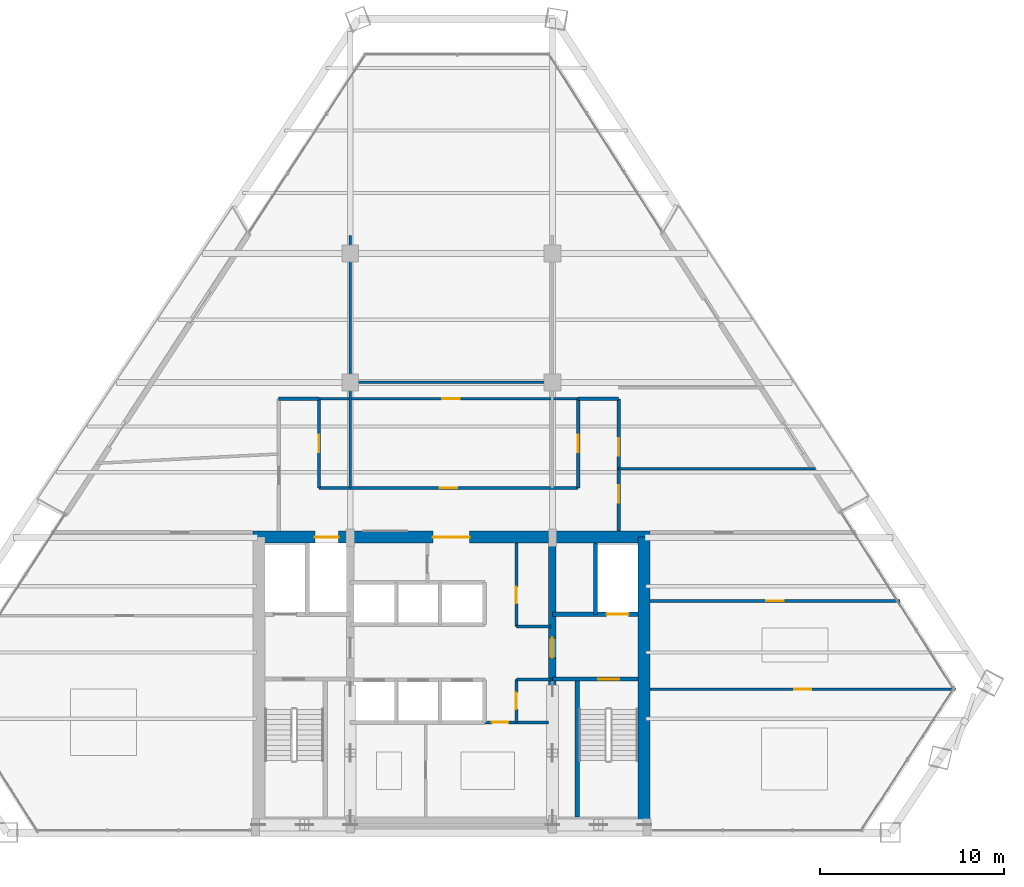
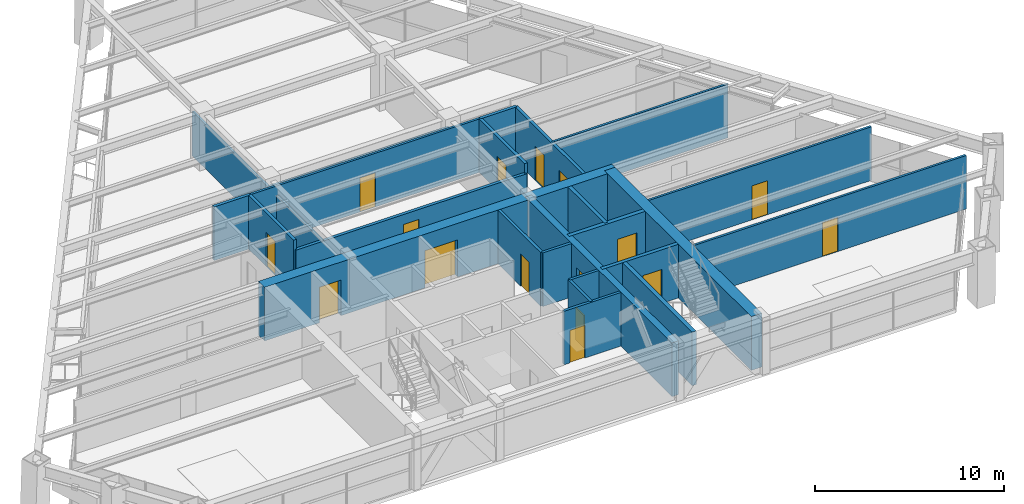
# One storey, part 12 of 15: 24 walls, 16 doors, 16 openings.
"""IFC4 building model written with IfcOpenShell, lengths in metres."""

import ifcopenshell
import ifcopenshell.guid

model = None  # the IFC model being written
_history = None  # IfcOwnerHistory: only IFC2X3 demands one
_inside = {}  # id of a spatial element -> (the spatial element, [elements in it])
_under = {}  # id of a project, library or spatial element -> (it, [spatial elements below it])
_declared = {}  # id of a project -> (the project, [libraries it declares])
_typed = {}  # id of a type object -> (the type object, [elements of that type])
_made_of = {}  # id of a material, layer set ... -> (it, [elements and type objects made of it])


def new_model(schema):
    """Start an empty IFC model of exactly this schema.

    Asked for "IFC4X3", IfcOpenShell would pick the latest addendum, in which some entities
    have other attributes; the version numbers below select the first issue.
    IFC2X3 requires an IfcOwnerHistory on every rooted entity: one is made here for all.
    """
    global model, _history
    if schema == "IFC4X3":
        model = ifcopenshell.file(schema_version=(4, 3, 0, 0))
    else:
        model = ifcopenshell.file(schema=schema)
    _inside.clear()
    _under.clear()
    _declared.clear()
    _typed.clear()
    _made_of.clear()
    _history = None
    if model.schema == "IFC2X3":
        org = make("IfcOrganization", Name="unknown")
        user = make(
            "IfcPersonAndOrganization",
            ThePerson=make("IfcPerson", FamilyName="unknown"),
            TheOrganization=org,
        )
        app = make(
            "IfcApplication",
            ApplicationDeveloper=org,
            Version="unknown",
            ApplicationFullName="unknown",
            ApplicationIdentifier="unknown",
        )
        _history = make(
            "IfcOwnerHistory",
            OwningUser=user,
            OwningApplication=app,
            ChangeAction="ADDED",
            CreationDate=0,
        )
    return model


def make(cls, **values):
    """One entity of the class cls with the attributes given. An attribute that is None is left unset."""
    return model.create_entity(
        cls, **{name: value for name, value in values.items() if value is not None}
    )


def rooted(cls, **values):
    """An entity with a GlobalId (a new one), such as an element, a storey or a relation."""
    return make(cls, GlobalId=ifcopenshell.guid.new(), OwnerHistory=_history, **values)


def si_unit(unit_type, name, prefix=None):
    """IfcSIUnit, for example si_unit("LENGTHUNIT", "METRE", prefix="MILLI")."""
    return make("IfcSIUnit", UnitType=unit_type, Prefix=prefix, Name=name)


def assignment(units):
    """IfcUnitAssignment: the units of a project."""
    return None if units is None else make("IfcUnitAssignment", Units=units)


def point(xyz):
    """IfcCartesianPoint."""
    return None if xyz is None else make("IfcCartesianPoint", Coordinates=xyz)


def direction(xyz):
    """IfcDirection."""
    return None if xyz is None else make("IfcDirection", DirectionRatios=xyz)


def frame(location, z_axis=None, x_axis=None):
    """IfcAxis2Placement3D, a coordinate frame: its origin and axes. An axis left out is left unset."""
    return make(
        "IfcAxis2Placement3D",
        Location=point(location),
        Axis=direction(z_axis),
        RefDirection=direction(x_axis),
    )


def frame_2d(location, x_axis=None):
    """IfcAxis2Placement2D, a coordinate frame in the plane: its origin and x axis."""
    return make(
        "IfcAxis2Placement2D", Location=point(location), RefDirection=direction(x_axis)
    )


def origin():
    """The frame at (0, 0, 0) with its axes left unset."""
    return frame((0.0, 0.0, 0.0))


def place(relative_to, where):
    """IfcLocalPlacement: puts the frame where relative to a parent placement (None: the world)."""
    return make(
        "IfcLocalPlacement", PlacementRelTo=relative_to, RelativePlacement=where
    )


def context(
    kind, dimensions, precision=None, world=None, true_north=None, identifier=None
):
    """IfcGeometricRepresentationContext, for example the 3D "Model" context."""
    return make(
        "IfcGeometricRepresentationContext",
        ContextIdentifier=identifier,
        ContextType=kind,
        CoordinateSpaceDimension=dimensions,
        Precision=precision,
        WorldCoordinateSystem=world,
        TrueNorth=true_north,
    )


def subcontext(parent, identifier, kind, view, scale=None):
    """IfcGeometricRepresentationSubContext, for example "Body" below "Model"."""
    return make(
        "IfcGeometricRepresentationSubContext",
        ContextIdentifier=identifier,
        ContextType=kind,
        ParentContext=parent,
        TargetScale=scale,
        TargetView=view,
    )


def project(units=None, contexts=None):
    """IfcProject with its units and contexts."""
    return rooted(
        "IfcProject",
        Name="project",
        RepresentationContexts=contexts,
        UnitsInContext=assignment(units),
    )


def spatial(cls, under=None, at=None, **own):
    """A site, building, storey or space (cls), placed at a placement, below another one or the project."""
    s = rooted(cls, ObjectPlacement=at, **own)
    if under is not None:
        _under.setdefault(under.id(), (under, []))[1].append(s)
    return s


def profile(cls, at=None, kind="AREA", **sizes):
    """A parametric profile (cls). Its sizes go by their IFC names, for example OverallWidth=200.0."""
    return make(cls, ProfileType=kind, Position=at, **sizes)


def rectangle(**sizes):
    """IfcRectangleProfileDef."""
    return profile("IfcRectangleProfileDef", **sizes)


def extrude(swept, where, along, depth):
    """IfcExtrudedAreaSolid: the profile swept, set in the frame where, extruded along a direction by depth."""
    return make(
        "IfcExtrudedAreaSolid",
        SweptArea=swept,
        Position=where,
        ExtrudedDirection=direction(along),
        Depth=depth,
    )


def shape(context_of_items, identifier, shape_type, items):
    """IfcShapeRepresentation: the items that make up one representation, for example the "Body"."""
    return make(
        "IfcShapeRepresentation",
        ContextOfItems=context_of_items,
        RepresentationIdentifier=identifier,
        RepresentationType=shape_type,
        Items=items,
    )


def source(mapping_origin, context_of_items, identifier, shape_type, items):
    """IfcRepresentationMap: a shape defined once, which mapped items show again and again."""
    return make(
        "IfcRepresentationMap",
        MappingOrigin=mapping_origin,
        MappedRepresentation=shape(context_of_items, identifier, shape_type, items),
    )


def transform(
    local_origin,
    x_axis=None,
    y_axis=None,
    z_axis=None,
    scale=None,
    scale2=None,
    scale3=None,
    uniform=True,
):
    """IfcCartesianTransformationOperator3D, or its non-uniform kind. x_axis, y_axis, z_axis: its Axis1, 2, 3."""
    if uniform:
        return make(
            "IfcCartesianTransformationOperator3D",
            Axis1=direction(x_axis),
            Axis2=direction(y_axis),
            LocalOrigin=point(local_origin),
            Scale=scale,
            Axis3=direction(z_axis),
        )
    return make(
        "IfcCartesianTransformationOperator3DnonUniform",
        Axis1=direction(x_axis),
        Axis2=direction(y_axis),
        LocalOrigin=point(local_origin),
        Scale=scale,
        Axis3=direction(z_axis),
        Scale2=scale2,
        Scale3=scale3,
    )


def mapped(mapping_source, mapping_target):
    """IfcMappedItem: shows the shape of a source again, moved by a transform."""
    return make(
        "IfcMappedItem", MappingSource=mapping_source, MappingTarget=mapping_target
    )


def material(Name=None, Category=None):
    """IfcMaterial."""
    return make("IfcMaterial", Name=Name, Category=Category)


def layer(
    of_material, thickness, ventilated=None, Name=None, Category=None, Priority=None
):
    """IfcMaterialLayer: one layer of a wall or slab, of a material (None: an air gap)."""
    return make(
        "IfcMaterialLayer",
        Material=of_material,
        LayerThickness=thickness,
        IsVentilated=ventilated,
        Name=Name,
        Category=Category,
        Priority=Priority,
    )


def layer_set(layers, Name=None):
    """IfcMaterialLayerSet."""
    return make("IfcMaterialLayerSet", MaterialLayers=layers, LayerSetName=Name)


def made_of(thing, what):
    """Note that an element or type object is made of a material, layer set ...; save() writes the relation."""
    if what is not None:
        _made_of.setdefault(what.id(), (what, []))[1].append(thing)
    return thing


def type_object(cls, material=None, **own):
    """A type object (cls), such as IfcWallType, which elements share."""
    return made_of(rooted(cls, **own), material)


def type_shapes(of_type, sources):
    """Give a type object the sources (RepresentationMaps) that its elements show as mapped items."""
    of_type.RepresentationMaps = sources


def element(
    cls,
    number,
    at=None,
    inside=None,
    cuts=None,
    type_object=None,
    material=None,
    context=None,
    identifier="Body",
    shape_type=None,
    held_by="IfcProductDefinitionShape",
    body=None,
    shapes=None,
    **own,
):
    """One element of the class cls, such as IfcWall. Its Tag is "e" and its number.

    at: its placement. inside: the storey or other place that contains it. cuts: it is an
    opening in that element (IfcRelVoidsElement). A single representation is given by context,
    identifier, shape_type and body (its items); several are given by shapes. held_by: the class
    of the entity that holds the representations. save() writes the other relations.
    """
    e = rooted(cls, Tag="e%d" % number, ObjectPlacement=at, **own)
    if body is not None:
        shapes = [shape(context, identifier, shape_type, body)]
    if shapes is not None:
        e.Representation = make(held_by, Representations=shapes)
    if inside is not None:
        _inside.setdefault(inside.id(), (inside, []))[1].append(e)
    if cuts is not None:
        rooted(
            "IfcRelVoidsElement", RelatingBuildingElement=cuts, RelatedOpeningElement=e
        )
    if type_object is not None:
        _typed.setdefault(type_object.id(), (type_object, []))[1].append(e)
    return made_of(e, material)


def fill(opening, filler):
    """IfcRelFillsElement: the door or window that sits in an opening."""
    return rooted(
        "IfcRelFillsElement",
        RelatingOpeningElement=opening,
        RelatedBuildingElement=filler,
    )


def aggregate(whole, parts):
    """IfcRelAggregates: a whole, such as a stair, and the parts it consists of."""
    return rooted("IfcRelAggregates", RelatingObject=whole, RelatedObjects=parts)


def save(model, path):
    """Write the relations noted so far, then the file.

    IfcRelAggregates (storeys below a building ...), IfcRelContainedInSpatialStructure (elements
    in a storey), IfcRelDefinesByType, IfcRelAssociatesMaterial and IfcRelDeclares: one each for
    every whole, place, type object, material and project.
    """
    for whole, parts in _under.values():
        aggregate(whole, parts)
    for where, things in _inside.values():
        rooted(
            "IfcRelContainedInSpatialStructure",
            RelatedElements=things,
            RelatingStructure=where,
        )
    for kind, things in _typed.values():
        rooted("IfcRelDefinesByType", RelatedObjects=things, RelatingType=kind)
    for what, things in _made_of.values():
        rooted("IfcRelAssociatesMaterial", RelatedObjects=things, RelatingMaterial=what)
    for by, libraries in _declared.values():
        rooted("IfcRelDeclares", RelatingContext=by, RelatedDefinitions=libraries)
    model.write(path)


model = new_model("IFC4")

# Units and contexts
model_context = context("Model", 3, precision=1e-05, world=origin(), true_north=direction((0.0, 1.0)))
body_context = subcontext(model_context, "Body", "Model", "MODEL_VIEW")
ifc_project = project(units=[si_unit("LENGTHUNIT", "METRE"), si_unit("AREAUNIT", "SQUARE_METRE"), si_unit("VOLUMEUNIT", "CUBIC_METRE"), si_unit("PLANEANGLEUNIT", "RADIAN"), si_unit("MASSUNIT", "GRAM", prefix="KILO")], contexts=[model_context])

# Site, building, storey
site_placement = place(None, origin())
site = spatial("IfcSite", under=ifc_project, at=site_placement, CompositionType="ELEMENT")
building_placement = place(site_placement, origin())
building = spatial("IfcBuilding", under=site, at=building_placement, Name="Varnakhor Terracotta Tower", CompositionType="ELEMENT")
storey_placement = place(building_placement, frame((0.0, 0.0, 136.699951171875)))
storey = spatial("IfcBuildingStorey", under=building, at=storey_placement, Name="L34", CompositionType="ELEMENT", Elevation=136.699951171875)

# Wall, openings, doors
ifc_material_1 = material(Name="Concrete C50/60", Category="concrete")
ifc_layer_1 = layer(ifc_material_1, 0.64990234375, Name="Concrete C50/60")
ifc_layer_set_1 = layer_set([ifc_layer_1], Name="Concrete C50/60")
wall_type_1 = type_object("IfcWallType", Name="WAL-CORE-650", PredefinedType="SHEAR", material=ifc_layer_set_1)
wall_1_placement = place(storey_placement, frame((-10.800048828125, 16.074951171875, 0.0), z_axis=(0.0, 0.0, 1.0), x_axis=(1.0, 0.0, 0.0)))
wall_1 = element("IfcWall", 1, at=wall_1_placement, inside=storey, type_object=wall_type_1, Name="L34 North Core Shear Wall", PredefinedType="SHEAR", context=body_context, shape_type="SweptSolid", body=[
    extrude(rectangle(XDim=21.60009765625, YDim=0.64990234375, at=frame_2d((10.800048828125, 0.0))), origin(), (0.0, 0.0, 1.0), 3.469970703125),
])
opening_1_placement = place(wall_1_placement, frame((3.3701171875, 0.0, 0.0)))
opening_1 = element("IfcOpeningElement", 2, at=opening_1_placement, cuts=wall_1, Name="Opening LD-03", PredefinedType="OPENING", context=body_context, shape_type="SweptSolid", body=[
    extrude(rectangle(XDim=1.300048828125, YDim=2.300048828125, at=frame_2d((0.64990234375, 1.14990234375))), frame((0.0, 0.3349609375, 0.0), z_axis=(0.0, -1.0, 0.0), x_axis=(1.0, 0.0, 0.0)), (0.0, 0.0, 1.0), 0.669921875),
])
opening_2_placement = place(wall_1_placement, frame((9.800048828125, 0.0, 0.0)))
opening_2 = element("IfcOpeningElement", 3, at=opening_2_placement, cuts=wall_1, Name="Opening DR-32", PredefinedType="OPENING", context=body_context, shape_type="SweptSolid", body=[
    extrude(rectangle(XDim=2.0, YDim=2.39990234375, at=frame_2d((1.0, 1.199951171875))), frame((0.0, 0.3349609375, 0.0), z_axis=(0.0, -1.0, 0.0), x_axis=(1.0, 0.0, 0.0)), (0.0, 0.0, 1.0), 0.669921875),
])
ifc_material_2 = material(Name="Heavy-Duty Goods Sliding Lift Landing Door", Category="steel")
door_type_1 = type_object("IfcDoorType", Name="LD-SRV-1300X2300", OperationType="NOTDEFINED", PredefinedType="DOOR", material=ifc_material_2)
shared_shape_1 = source(origin(), body_context, "Body", "SweptSolid", [
    extrude(rectangle(XDim=1.300048828125, YDim=2.300048828125, at=frame_2d((0.64990234375, 1.14990234375))), frame((0.0, 0.02490234375, 0.0), z_axis=(0.0, -1.0, 0.0), x_axis=(1.0, 0.0, 0.0)), (0.0, 0.0, 1.0), 0.050048828125),
])
type_shapes(door_type_1, [shared_shape_1])
door_1_placement = place(opening_1_placement, origin())
door_1 = element("IfcDoor", 4, at=door_1_placement, inside=storey, type_object=door_type_1, Name="L34 Service Lift SVL-1 Landing Door", OperationType="SLIDING_TO_RIGHT", OverallHeight=2.300048828125, OverallWidth=1.300048828125, PredefinedType="DOOR", context=body_context, shape_type="MappedRepresentation", body=[
    mapped(shared_shape_1, transform((0.0, 0.0, 0.0), scale=1.0)),
])
fill(opening_1, door_1)
ifc_material_3 = material(Name="Acoustic Double Assembly Fire Door", Category="wood")
door_type_2 = type_object("IfcDoorType", Name="DR-HALL-2000X2400", OperationType="NOTDEFINED", PredefinedType="DOOR", material=ifc_material_3)
shared_shape_2 = source(origin(), body_context, "Body", "SweptSolid", [
    extrude(rectangle(XDim=2.0, YDim=2.39990234375, at=frame_2d((1.0, 1.199951171875))), frame((0.0, 0.02490234375, 0.0), z_axis=(0.0, -1.0, 0.0), x_axis=(1.0, 0.0, 0.0)), (0.0, 0.0, 1.0), 0.050048828125),
])
type_shapes(door_type_2, [shared_shape_2])
door_2_placement = place(opening_2_placement, origin())
door_2 = element("IfcDoor", 5, at=door_2_placement, inside=storey, type_object=door_type_2, Name="L34 Core Main Lobby Double Door", OperationType="DOUBLE_DOOR_SINGLE_SWING", OverallHeight=2.39990234375, OverallWidth=2.0, PredefinedType="DOOR", context=body_context, shape_type="MappedRepresentation", body=[
    mapped(shared_shape_2, transform((0.0, 0.0, 0.0), scale=1.0)),
])
fill(opening_2, door_2)

# Wall
wall_2_placement = place(storey_placement, frame((10.47509765625, 0.52490234375, 0.0), z_axis=(0.0, 0.0, 1.0), x_axis=(0.0, 1.0, 0.0)))
element("IfcWall", 6, at=wall_2_placement, inside=storey, type_object=wall_type_1, Name="L34 East Core Shear Wall", PredefinedType="SHEAR", context=body_context, shape_type="SweptSolid", body=[
    extrude(rectangle(XDim=15.550048828125, YDim=0.64990234375, at=frame_2d((7.77490234375, 0.0))), origin(), (0.0, 0.0, 1.0), 3.469970703125),
])

# Wall, opening, door
ifc_layer_2 = layer(ifc_material_1, 0.39990234375, Name="Concrete C50/60")
ifc_layer_set_2 = layer_set([ifc_layer_2], Name="Concrete C50/60")
wall_type_2 = type_object("IfcWallType", Name="WAL-CORE-WEB-400", PredefinedType="SHEAR", material=ifc_layer_set_2)
wall_3_placement = place(storey_placement, frame((5.5, 0.52490234375, 0.0), z_axis=(0.0, 0.0, 1.0), x_axis=(0.0, 1.0, 0.0)))
wall_3 = element("IfcWall", 7, at=wall_3_placement, inside=storey, type_object=wall_type_2, Name="L34 East Core Web Shear Wall", PredefinedType="SHEAR", context=body_context, shape_type="SweptSolid", body=[
    extrude(rectangle(XDim=15.550048828125, YDim=0.39990234375, at=frame_2d((7.77490234375, 0.0))), origin(), (0.0, 0.0, 1.0), 3.469970703125),
])
opening_3_placement = place(wall_3_placement, frame((8.97509765625, 0.0, 0.0)))
opening_3 = element("IfcOpeningElement", 8, at=opening_3_placement, cuts=wall_3, Name="Opening DR-25", PredefinedType="OPENING", context=body_context, shape_type="SweptSolid", body=[
    extrude(rectangle(XDim=1.10009765625, YDim=2.199951171875, at=frame_2d((0.550048828125, 1.10009765625))), frame((0.0, 0.2099609375, 0.0), z_axis=(0.0, -1.0, 0.0), x_axis=(1.0, 0.0, 0.0)), (0.0, 0.0, 1.0), 0.419921875),
])
ifc_material_4 = material(Name="Firefighting Lobby Self-Closing Fire Door", Category="steel")
door_type_3 = type_object("IfcDoorType", Name="DR-FFL-1100X2200", OperationType="NOTDEFINED", PredefinedType="DOOR", material=ifc_material_4)
shared_shape_3 = source(origin(), body_context, "Body", "SweptSolid", [
    extrude(rectangle(XDim=1.10009765625, YDim=2.199951171875, at=frame_2d((0.550048828125, 1.10009765625))), frame((0.0, 0.02490234375, 0.0), z_axis=(0.0, -1.0, 0.0), x_axis=(1.0, 0.0, 0.0)), (0.0, 0.0, 1.0), 0.050048828125),
])
type_shapes(door_type_3, [shared_shape_3])
door_3_placement = place(opening_3_placement, origin())
door_3 = element("IfcDoor", 9, at=door_3_placement, inside=storey, type_object=door_type_3, Name="L34 East Firefighting Lobby Door", OperationType="SINGLE_SWING_RIGHT", OverallHeight=2.199951171875, OverallWidth=1.10009765625, PredefinedType="DOOR", context=body_context, shape_type="MappedRepresentation", body=[
    mapped(shared_shape_3, transform((0.0, 0.0, 0.0), scale=1.0)),
])
fill(opening_3, door_3)

ifc_material_5 = material(Name="Fire-Rated Gypsum Stud Partition", Category="gypsum")
ifc_layer_3 = layer(ifc_material_5, 0.18505859375, Name="Fire-Rated Gypsum Stud Partition")
ifc_layer_set_3 = layer_set([ifc_layer_3], Name="Fire-Rated Gypsum Stud Partition")
wall_type_3 = type_object("IfcWallType", Name="WAL-CORR-185", PredefinedType="PARTITIONING", material=ifc_layer_set_3)
wall_4_placement = place(storey_placement, frame((-7.199951171875, 18.75, 0.0), z_axis=(0.0, 0.0, 1.0), x_axis=(1.0, 0.0, 0.0)))
wall_4 = element("IfcWall", 10, at=wall_4_placement, inside=storey, type_object=wall_type_3, Name="L34 Central Gallery Link Wall", PredefinedType="PARTITIONING", context=body_context, shape_type="SweptSolid", body=[
    extrude(rectangle(XDim=14.099853515625, YDim=0.18505859375, at=frame_2d((7.0498046875, 0.0))), origin(), (0.0, 0.0, 1.0), 2.845947265625),
])
opening_4_placement = place(wall_4_placement, frame((6.574951171875, 0.0, 0.0)))
opening_4 = element("IfcOpeningElement", 11, at=opening_4_placement, cuts=wall_4, Name="Opening DR-94", PredefinedType="OPENING", context=body_context, shape_type="SweptSolid", body=[
    extrude(rectangle(XDim=0.949951171875, YDim=2.199951171875, at=frame_2d((0.47509765625, 1.10009765625))), frame((0.0, 0.1025390625, 0.0), z_axis=(0.0, -1.0, 0.0), x_axis=(1.0, 0.0, 0.0)), (0.0, 0.0, 1.0), 0.205078125),
])
ifc_material_6 = material(Name="Acoustic Glazed-Vision Timber Office Door", Category="wood")
door_type_4 = type_object("IfcDoorType", Name="DR-OFF-950X2200", OperationType="NOTDEFINED", PredefinedType="DOOR", material=ifc_material_6)
shared_shape_4 = source(origin(), body_context, "Body", "SweptSolid", [
    extrude(rectangle(XDim=0.949951171875, YDim=2.199951171875, at=frame_2d((0.47509765625, 1.10009765625))), frame((0.0, 0.02490234375, 0.0), z_axis=(0.0, -1.0, 0.0), x_axis=(1.0, 0.0, 0.0)), (0.0, 0.0, 1.0), 0.050048828125),
])
type_shapes(door_type_4, [shared_shape_4])
door_4_placement = place(opening_4_placement, origin())
door_4 = element("IfcDoor", 12, at=door_4_placement, inside=storey, type_object=door_type_4, Name="L34 Center Suite Door", OperationType="SINGLE_SWING_RIGHT", OverallHeight=2.199951171875, OverallWidth=0.949951171875, PredefinedType="DOOR", context=body_context, shape_type="MappedRepresentation", body=[
    mapped(shared_shape_4, transform((0.0, 0.0, 0.0), scale=1.0)),
])
fill(opening_4, door_4)

wall_5_placement = place(storey_placement, frame((-7.199951171875, 18.75, 0.0), z_axis=(0.0, 0.0, 1.0), x_axis=(0.0, 1.0, 0.0)))
wall_5 = element("IfcWall", 13, at=wall_5_placement, inside=storey, type_object=wall_type_3, Name="L34 West Gallery Inner Wall", PredefinedType="PARTITIONING", context=body_context, shape_type="SweptSolid", body=[
    extrude(rectangle(XDim=4.85009765625, YDim=0.18505859375, at=frame_2d((2.425048828125, 0.0))), origin(), (0.0, 0.0, 1.0), 3.462158203125),
])
opening_5_placement = place(wall_5_placement, frame((1.949951171875, 0.0, 0.0)))
opening_5 = element("IfcOpeningElement", 14, at=opening_5_placement, cuts=wall_5, Name="Opening DR-94", PredefinedType="OPENING", context=body_context, shape_type="SweptSolid", body=[
    extrude(rectangle(XDim=0.949951171875, YDim=2.199951171875, at=frame_2d((0.47509765625, 1.10009765625))), frame((0.0, 0.1025390625, 0.0), z_axis=(0.0, -1.0, 0.0), x_axis=(1.0, 0.0, 0.0)), (0.0, 0.0, 1.0), 0.205078125),
])
door_5_placement = place(opening_5_placement, origin())
door_5 = element("IfcDoor", 15, at=door_5_placement, inside=storey, type_object=door_type_4, Name="L34 Counsel Office 7 B9 Door", OperationType="SINGLE_SWING_LEFT", OverallHeight=2.199951171875, OverallWidth=0.949951171875, PredefinedType="DOOR", context=body_context, shape_type="MappedRepresentation", body=[
    mapped(shared_shape_4, transform((0.0, 0.0, 0.0), scale=1.0)),
])
fill(opening_5, door_5)

wall_6_placement = place(storey_placement, frame((6.89990234375, 18.75, 0.0), z_axis=(0.0, 0.0, 1.0), x_axis=(0.0, 1.0, 0.0)))
wall_6 = element("IfcWall", 16, at=wall_6_placement, inside=storey, type_object=wall_type_3, Name="L34 East Gallery Inner Wall", PredefinedType="PARTITIONING", context=body_context, shape_type="SweptSolid", body=[
    extrude(rectangle(XDim=4.85009765625, YDim=0.18505859375, at=frame_2d((2.425048828125, 0.0))), origin(), (0.0, 0.0, 1.0), 3.462158203125),
])
opening_6_placement = place(wall_6_placement, frame((1.949951171875, 0.0, 0.0)))
opening_6 = element("IfcOpeningElement", 17, at=opening_6_placement, cuts=wall_6, Name="Opening DR-94", PredefinedType="OPENING", context=body_context, shape_type="SweptSolid", body=[
    extrude(rectangle(XDim=0.949951171875, YDim=2.199951171875, at=frame_2d((0.47509765625, 1.10009765625))), frame((0.0, 0.1025390625, 0.0), z_axis=(0.0, -1.0, 0.0), x_axis=(1.0, 0.0, 0.0)), (0.0, 0.0, 1.0), 0.205078125),
])
door_6_placement = place(opening_6_placement, origin())
door_6 = element("IfcDoor", 18, at=door_6_placement, inside=storey, type_object=door_type_4, Name="L34 Executive Training Office 2 B11 Door", OperationType="SINGLE_SWING_RIGHT", OverallHeight=2.199951171875, OverallWidth=0.949951171875, PredefinedType="DOOR", context=body_context, shape_type="MappedRepresentation", body=[
    mapped(shared_shape_4, transform((0.0, 0.0, 0.0), scale=1.0)),
])
fill(opening_6, door_6)

# Wall, openings, doors
wall_7_placement = place(storey_placement, frame((9.10009765625, 16.39990234375, 0.0), z_axis=(0.0, 0.0, 1.0), x_axis=(0.0, 1.0, 0.0)))
wall_7 = element("IfcWall", 19, at=wall_7_placement, inside=storey, type_object=wall_type_3, Name="L34 East Gallery Outer Wall", PredefinedType="PARTITIONING", context=body_context, shape_type="SweptSolid", body=[
    extrude(rectangle(XDim=7.2001953125, YDim=0.18505859375, at=frame_2d((3.60009765625, 0.0))), origin(), (0.0, 0.0, 1.0), 3.462158203125),
])
opening_7_placement = place(wall_7_placement, frame((4.1025390625, 0.0, 0.0)))
opening_7 = element("IfcOpeningElement", 20, at=opening_7_placement, cuts=wall_7, Name="Opening DR-94", PredefinedType="OPENING", context=body_context, shape_type="SweptSolid", body=[
    extrude(rectangle(XDim=0.949951171875, YDim=2.199951171875, at=frame_2d((0.47509765625, 1.10009765625))), frame((0.0, 0.1025390625, 0.0), z_axis=(0.0, -1.0, 0.0), x_axis=(1.0, 0.0, 0.0)), (0.0, 0.0, 1.0), 0.205078125),
])
opening_8_placement = place(wall_7_placement, frame((1.547607421875, 0.0, 0.0)))
opening_8 = element("IfcOpeningElement", 21, at=opening_8_placement, cuts=wall_7, Name="Opening DR-94", PredefinedType="OPENING", context=body_context, shape_type="SweptSolid", body=[
    extrude(rectangle(XDim=0.949951171875, YDim=2.199951171875, at=frame_2d((0.47509765625, 1.10009765625))), frame((0.0, 0.1025390625, 0.0), z_axis=(0.0, -1.0, 0.0), x_axis=(1.0, 0.0, 0.0)), (0.0, 0.0, 1.0), 0.205078125),
])
door_7_placement = place(opening_7_placement, origin())
door_7 = element("IfcDoor", 22, at=door_7_placement, inside=storey, type_object=door_type_4, Name="L34 East Wing Door", OperationType="SINGLE_SWING_RIGHT", OverallHeight=2.199951171875, OverallWidth=0.949951171875, PredefinedType="DOOR", context=body_context, shape_type="MappedRepresentation", body=[
    mapped(shared_shape_4, transform((0.0, 0.0, 0.0), scale=1.0)),
])
fill(opening_7, door_7)
door_8_placement = place(opening_8_placement, origin())
door_8 = element("IfcDoor", 23, at=door_8_placement, inside=storey, type_object=door_type_4, Name="L34 Corporate Advisory Office 3 Door", OperationType="SINGLE_SWING_RIGHT", OverallHeight=2.199951171875, OverallWidth=0.949951171875, PredefinedType="DOOR", context=body_context, shape_type="MappedRepresentation", body=[
    mapped(shared_shape_4, transform((0.0, 0.0, 0.0), scale=1.0)),
])
fill(opening_8, door_8)

# Walls
wall_8_placement = place(storey_placement, frame((-9.39990234375, 23.60009765625, 0.0), z_axis=(0.0, 0.0, 1.0), x_axis=(1.0, 0.0, 0.0)))
element("IfcWall", 24, at=wall_8_placement, inside=storey, type_object=wall_type_3, Name="L34 West Gallery North End", PredefinedType="PARTITIONING", context=body_context, shape_type="SweptSolid", body=[
    extrude(rectangle(XDim=2.199951171875, YDim=0.18505859375, at=frame_2d((1.10009765625, 0.0))), origin(), (0.0, 0.0, 1.0), 3.462158203125),
])
wall_9_placement = place(storey_placement, frame((6.89990234375, 23.60009765625, 0.0), z_axis=(0.0, 0.0, 1.0), x_axis=(1.0, 0.0, 0.0)))
element("IfcWall", 25, at=wall_9_placement, inside=storey, type_object=wall_type_3, Name="L34 East Gallery North End", PredefinedType="PARTITIONING", context=body_context, shape_type="SweptSolid", body=[
    extrude(rectangle(XDim=2.2001953125, YDim=0.18505859375, at=frame_2d((1.10009765625, 0.0))), origin(), (0.0, 0.0, 1.0), 3.462158203125),
])

# Wall, opening, door
ifc_material_7 = material(Name="Concrete C40/50", Category="concrete")
ifc_layer_4 = layer(ifc_material_7, 0.219970703125, Name="Concrete C40/50")
ifc_layer_set_4 = layer_set([ifc_layer_4], Name="Concrete C40/50")
wall_type_4 = type_object("IfcWallType", Name="WAL-FFLOBBY-220", PredefinedType="SOLIDWALL", material=ifc_layer_set_4)
wall_10_placement = place(storey_placement, frame((10.14990234375, 8.35009765625, 0.0), z_axis=(0.0, 0.0, 1.0), x_axis=(-1.0, 0.0, 0.0)))
wall_10 = element("IfcWall", 26, at=wall_10_placement, inside=storey, type_object=wall_type_4, Name="L34 East Firefighting Lobby Stair Wall", PredefinedType="SOLIDWALL", context=body_context, shape_type="SweptSolid", body=[
    extrude(rectangle(XDim=4.64990234375, YDim=0.219970703125, at=frame_2d((2.324951171875, 0.0))), origin(), (0.0, 0.0, 1.0), 3.469970703125),
])
opening_9_placement = place(wall_10_placement, frame((1.0, 0.0, 0.0)))
opening_9 = element("IfcOpeningElement", 27, at=opening_9_placement, cuts=wall_10, Name="Opening DR-34", PredefinedType="OPENING", context=body_context, shape_type="SweptSolid", body=[
    extrude(rectangle(XDim=1.14990234375, YDim=2.199951171875, at=frame_2d((0.574951171875, 1.10009765625))), frame((0.0, 0.1201171875, 0.0), z_axis=(0.0, -1.0, 0.0), x_axis=(1.0, 0.0, 0.0)), (0.0, 0.0, 1.0), 0.239990234375),
])
ifc_material_8 = material(Name="Self-Closing Smoke-Sealed Steel Fire Door", Category="steel")
door_type_5 = type_object("IfcDoorType", Name="DR-STAIR-1150X2200", OperationType="NOTDEFINED", PredefinedType="DOOR", material=ifc_material_8)
shared_shape_5 = source(origin(), body_context, "Body", "SweptSolid", [
    extrude(rectangle(XDim=1.14990234375, YDim=2.199951171875, at=frame_2d((0.574951171875, 1.10009765625))), frame((0.0, 0.02490234375, 0.0), z_axis=(0.0, -1.0, 0.0), x_axis=(1.0, 0.0, 0.0)), (0.0, 0.0, 1.0), 0.050048828125),
])
type_shapes(door_type_5, [shared_shape_5])
door_9_placement = place(opening_9_placement, origin())
door_9 = element("IfcDoor", 28, at=door_9_placement, inside=storey, type_object=door_type_5, Name="L34 Exit Stair ST-2 Fire Door", OperationType="SINGLE_SWING_LEFT", OverallHeight=2.199951171875, OverallWidth=1.14990234375, PredefinedType="DOOR", context=body_context, shape_type="MappedRepresentation", body=[
    mapped(shared_shape_5, transform((0.0, 0.0, 0.0), scale=1.0)),
])
fill(opening_9, door_9)

ifc_material_9 = material(Name="Acoustic Metal-Stud Partition", Category="gypsum")
ifc_layer_5 = layer(ifc_material_9, 0.139892578125, Name="Acoustic Metal-Stud Partition")
ifc_layer_set_5 = layer_set([ifc_layer_5], Name="Acoustic Metal-Stud Partition")
wall_type_5 = type_object("IfcWallType", Name="WAL-PART-140", PredefinedType="PARTITIONING", material=ifc_layer_set_5)
wall_11_placement = place(storey_placement, frame((-7.199951171875, 23.60009765625, 0.0), z_axis=(0.0, 0.0, 1.0), x_axis=(1.0, 0.0, 0.0)))
wall_11 = element("IfcWall", 29, at=wall_11_placement, inside=storey, type_object=wall_type_5, Name="L34 Gallery Center Cap Wall", PredefinedType="PARTITIONING", context=body_context, shape_type="SweptSolid", body=[
    extrude(rectangle(XDim=14.099853515625, YDim=0.139892578125, at=frame_2d((7.0498046875, 0.0))), origin(), (0.0, 0.0, 1.0), 3.462158203125),
])
opening_10_placement = place(wall_11_placement, frame((6.7177734375, 0.0, 0.0)))
opening_10 = element("IfcOpeningElement", 30, at=opening_10_placement, cuts=wall_11, Name="Opening DR-94", PredefinedType="OPENING", context=body_context, shape_type="SweptSolid", body=[
    extrude(rectangle(XDim=0.949951171875, YDim=2.199951171875, at=frame_2d((0.47509765625, 1.10009765625))), frame((0.0, 0.080078125, 0.0), z_axis=(0.0, -1.0, 0.0), x_axis=(1.0, 0.0, 0.0)), (0.0, 0.0, 1.0), 0.159912109375),
])
door_10_placement = place(opening_10_placement, origin())
door_10 = element("IfcDoor", 31, at=door_10_placement, inside=storey, type_object=door_type_4, Name="L34 Client Reception Door", OperationType="SINGLE_SWING_LEFT", OverallHeight=2.199951171875, OverallWidth=0.949951171875, PredefinedType="DOOR", context=body_context, shape_type="MappedRepresentation", body=[
    mapped(shared_shape_4, transform((0.0, 0.0, 0.0), scale=1.0)),
])
fill(opening_10, door_10)

# Walls
wall_12_placement = place(storey_placement, frame((-5.5, 18.75, 0.0), z_axis=(0.0, 0.0, 1.0), x_axis=(0.0, 1.0, 0.0)))
element("IfcWall", 32, at=wall_12_placement, inside=storey, type_object=wall_type_5, Name="L34 Center West Column Wall", PredefinedType="PARTITIONING", context=body_context, shape_type="SweptSolid", body=[
    extrude(rectangle(XDim=13.75, YDim=0.139892578125, at=frame_2d((6.875, 0.0))), origin(), (0.0, 0.0, 1.0), 2.845947265625),
])
wall_13_placement = place(storey_placement, frame((-5.5, 24.5, 0.0), z_axis=(0.0, 0.0, 1.0), x_axis=(1.0, 0.0, 0.0)))
element("IfcWall", 33, at=wall_13_placement, inside=storey, type_object=wall_type_5, Name="L34 Center Cross Cut 1", PredefinedType="PARTITIONING", context=body_context, shape_type="SweptSolid", body=[
    extrude(rectangle(XDim=11.0, YDim=0.139892578125, at=frame_2d((5.5, 0.0))), origin(), (0.0, 0.0, 1.0), 2.845947265625),
])

# Wall, opening, door
wall_14_placement = place(storey_placement, frame((10.820068359375, 7.800048828125, 0.0), z_axis=(0.0, 0.0, 1.0), x_axis=(1.0, 0.0, 0.0)))
wall_14 = element("IfcWall", 34, at=wall_14_placement, inside=storey, type_object=wall_type_5, Name="L34 East Wing Cut 1", PredefinedType="PARTITIONING", context=body_context, shape_type="SweptSolid", body=[
    extrude(rectangle(XDim=16.62451171875, YDim=0.139892578125, at=frame_2d((8.312255859375, 0.0))), origin(), (0.0, 0.0, 1.0), 3.462158203125),
])
opening_11_placement = place(wall_14_placement, frame((7.82763671875, 0.0, 0.0)))
opening_11 = element("IfcOpeningElement", 35, at=opening_11_placement, cuts=wall_14, Name="Opening DR-94", PredefinedType="OPENING", context=body_context, shape_type="SweptSolid", body=[
    extrude(rectangle(XDim=0.949951171875, YDim=2.199951171875, at=frame_2d((0.47509765625, 1.10009765625))), frame((0.0, 0.080078125, 0.0), z_axis=(0.0, -1.0, 0.0), x_axis=(1.0, 0.0, 0.0)), (0.0, 0.0, 1.0), 0.159912109375),
])
door_11_placement = place(opening_11_placement, origin())
door_11 = element("IfcDoor", 36, at=door_11_placement, inside=storey, type_object=door_type_4, Name="L34 Conference Room 1 SE Door", OperationType="SINGLE_SWING_LEFT", OverallHeight=2.199951171875, OverallWidth=0.949951171875, PredefinedType="DOOR", context=body_context, shape_type="MappedRepresentation", body=[
    mapped(shared_shape_4, transform((0.0, 0.0, 0.0), scale=1.0)),
])
fill(opening_11, door_11)

wall_15_placement = place(storey_placement, frame((10.820068359375, 12.60009765625, 0.0), z_axis=(0.0, 0.0, 1.0), x_axis=(1.0, 0.0, 0.0)))
wall_15 = element("IfcWall", 37, at=wall_15_placement, inside=storey, type_object=wall_type_5, Name="L34 East Wing Cut 2", PredefinedType="PARTITIONING", context=body_context, shape_type="SweptSolid", body=[
    extrude(rectangle(XDim=13.595458984375, YDim=0.139892578125, at=frame_2d((6.7978515625, 0.0))), origin(), (0.0, 0.0, 1.0), 3.462158203125),
])
opening_12_placement = place(wall_15_placement, frame((6.314697265625, 0.0, 0.0)))
opening_12 = element("IfcOpeningElement", 38, at=opening_12_placement, cuts=wall_15, Name="Opening DR-94", PredefinedType="OPENING", context=body_context, shape_type="SweptSolid", body=[
    extrude(rectangle(XDim=0.949951171875, YDim=2.199951171875, at=frame_2d((0.47509765625, 1.10009765625))), frame((0.0, 0.080078125, 0.0), z_axis=(0.0, -1.0, 0.0), x_axis=(1.0, 0.0, 0.0)), (0.0, 0.0, 1.0), 0.159912109375),
])
door_12_placement = place(opening_12_placement, origin())
door_12 = element("IfcDoor", 39, at=door_12_placement, inside=storey, type_object=door_type_4, Name="L34 Boardroom 4 B3 Door", OperationType="SINGLE_SWING_RIGHT", OverallHeight=2.199951171875, OverallWidth=0.949951171875, PredefinedType="DOOR", context=body_context, shape_type="MappedRepresentation", body=[
    mapped(shared_shape_4, transform((0.0, 0.0, 0.0), scale=1.0)),
])
fill(opening_12, door_12)

# Walls
wall_16_placement = place(storey_placement, frame((9.10009765625, 19.800048828125, 0.0), z_axis=(0.0, 0.0, 1.0), x_axis=(1.0, 0.0, 0.0)))
element("IfcWall", 40, at=wall_16_placement, inside=storey, type_object=wall_type_5, Name="L34 East Wing Cut 3", PredefinedType="PARTITIONING", context=body_context, shape_type="SweptSolid", body=[
    extrude(rectangle(XDim=10.72412109375, YDim=0.139892578125, at=frame_2d((5.362060546875, 0.0))), origin(), (0.0, 0.0, 1.0), 3.462158203125),
])
ifc_layer_6 = layer(ifc_material_7, 0.219970703125, Name="Concrete C40/50")
ifc_layer_set_6 = layer_set([ifc_layer_6], Name="Concrete C40/50")
wall_type_6 = type_object("IfcWallType", Name="WAL-SHAFT-220", PredefinedType="SOLIDWALL", material=ifc_layer_set_6)
wall_17_placement = place(storey_placement, frame((7.840087890625, 11.8701171875, 0.0), z_axis=(0.0, 0.0, 1.0), x_axis=(0.0, 1.0, 0.0)))
element("IfcWall", 41, at=wall_17_placement, inside=storey, type_object=wall_type_6, Name="L34 Lift FFL-2 and Riser Divider Wall", PredefinedType="SOLIDWALL", context=body_context, shape_type="SweptSolid", body=[
    extrude(rectangle(XDim=3.8798828125, YDim=0.219970703125, at=frame_2d((1.93994140625, 0.0))), origin(), (0.0, 0.0, 1.0), 3.469970703125),
])
ifc_layer_7 = layer(ifc_material_7, 0.25, Name="Concrete C40/50")
ifc_layer_set_7 = layer_set([ifc_layer_7], Name="Concrete C40/50")
wall_type_7 = type_object("IfcWallType", Name="WAL-SHAFT-250", PredefinedType="SOLIDWALL", material=ifc_layer_set_7)
wall_18_placement = place(storey_placement, frame((6.85009765625, 0.85009765625, 0.0), z_axis=(0.0, 0.0, 1.0), x_axis=(0.0, 1.0, 0.0)))
element("IfcWall", 42, at=wall_18_placement, inside=storey, type_object=wall_type_7, Name="L34 Stair ST-2 Bearing Shaft Wall", PredefinedType="SOLIDWALL", context=body_context, shape_type="SweptSolid", body=[
    extrude(rectangle(XDim=7.5, YDim=0.25, at=frame_2d((3.75, 0.0))), origin(), (0.0, 0.0, 1.0), 3.469970703125),
])

# Wall, opening, door
wall_19_placement = place(storey_placement, frame((10.14990234375, 11.8701171875, 0.0), z_axis=(0.0, 0.0, 1.0), x_axis=(-1.0, 0.0, 0.0)))
wall_19 = element("IfcWall", 43, at=wall_19_placement, inside=storey, type_object=wall_type_7, Name="L34 Lift FFL-2 Shaft Front Wall", PredefinedType="SOLIDWALL", context=body_context, shape_type="SweptSolid", body=[
    extrude(rectangle(XDim=4.64990234375, YDim=0.25, at=frame_2d((2.324951171875, 0.0))), origin(), (0.0, 0.0, 1.0), 3.469970703125),
])
opening_13_placement = place(wall_19_placement, frame((0.5, 0.0, 0.0)))
opening_13 = element("IfcOpeningElement", 44, at=opening_13_placement, cuts=wall_19, Name="Opening LD-02", PredefinedType="OPENING", context=body_context, shape_type="SweptSolid", body=[
    extrude(rectangle(XDim=1.199951171875, YDim=2.25, at=frame_2d((0.60009765625, 1.125))), frame((0.0, 0.135009765625, 0.0), z_axis=(0.0, -1.0, 0.0), x_axis=(1.0, 0.0, 0.0)), (0.0, 0.0, 1.0), 0.27001953125),
])
ifc_material_10 = material(Name="Firefighting Stretcher Sliding Lift Landing Door", Category="steel")
door_type_6 = type_object("IfcDoorType", Name="LD-FFL-1200X2250", OperationType="NOTDEFINED", PredefinedType="DOOR", material=ifc_material_10)
shared_shape_6 = source(origin(), body_context, "Body", "SweptSolid", [
    extrude(rectangle(XDim=1.199951171875, YDim=2.25, at=frame_2d((0.60009765625, 1.125))), frame((0.0, 0.02490234375, 0.0), z_axis=(0.0, -1.0, 0.0), x_axis=(1.0, 0.0, 0.0)), (0.0, 0.0, 1.0), 0.050048828125),
])
type_shapes(door_type_6, [shared_shape_6])
door_13_placement = place(opening_13_placement, origin())
door_13 = element("IfcDoor", 45, at=door_13_placement, inside=storey, type_object=door_type_6, Name="L34 Firefighting Lift FFL-2 Landing Door", OperationType="SLIDING_TO_RIGHT", OverallHeight=2.25, OverallWidth=1.199951171875, PredefinedType="DOOR", context=body_context, shape_type="MappedRepresentation", body=[
    mapped(shared_shape_6, transform((0.0, 0.0, 0.0), scale=1.0)),
])
fill(opening_13, door_13)

ifc_material_11 = material(Name="Acoustic Fire-Rated Partition", Category="gypsum")
ifc_layer_8 = layer(ifc_material_11, 0.1650390625, Name="Acoustic Fire-Rated Partition")
ifc_layer_set_8 = layer_set([ifc_layer_8], Name="Acoustic Fire-Rated Partition")
wall_type_8 = type_object("IfcWallType", Name="WAL-TENANCY-165", PredefinedType="PARTITIONING", material=ifc_layer_set_8)
wall_20_placement = place(storey_placement, frame((1.820068359375, 6.0, 0.0), z_axis=(0.0, 0.0, 1.0), x_axis=(1.0, 0.0, 0.0)))
wall_20 = element("IfcWall", 46, at=wall_20_placement, inside=storey, type_object=wall_type_8, Name="L34 Reclaimed Core Bay North Rated Wall", PredefinedType="PARTITIONING", context=body_context, shape_type="SweptSolid", body=[
    extrude(rectangle(XDim=3.47998046875, YDim=0.1650390625, at=frame_2d((1.739990234375, 0.0))), origin(), (0.0, 0.0, 1.0), 3.462158203125),
])
opening_14_placement = place(wall_20_placement, frame((0.3798828125, 0.0, 0.0)))
opening_14 = element("IfcOpeningElement", 47, at=opening_14_placement, cuts=wall_20, Name="Opening DR-67", PredefinedType="OPENING", context=body_context, shape_type="SweptSolid", body=[
    extrude(rectangle(XDim=0.89990234375, YDim=2.10009765625, at=frame_2d((0.449951171875, 1.050048828125))), frame((0.0, 0.092529296875, 0.0), z_axis=(0.0, -1.0, 0.0), x_axis=(1.0, 0.0, 0.0)), (0.0, 0.0, 1.0), 0.18505859375),
])
ifc_material_12 = material(Name="Steel Service Riser Fire Door", Category="steel")
door_type_7 = type_object("IfcDoorType", Name="DR-RISER-900X2100", OperationType="NOTDEFINED", PredefinedType="DOOR", material=ifc_material_12)
shared_shape_7 = source(origin(), body_context, "Body", "SweptSolid", [
    extrude(rectangle(XDim=0.89990234375, YDim=2.10009765625, at=frame_2d((0.449951171875, 1.050048828125))), frame((0.0, 0.02490234375, 0.0), z_axis=(0.0, -1.0, 0.0), x_axis=(1.0, 0.0, 0.0)), (0.0, 0.0, 1.0), 0.050048828125),
])
type_shapes(door_type_7, [shared_shape_7])
door_14_placement = place(opening_14_placement, origin())
door_14 = element("IfcDoor", 48, at=door_14_placement, inside=storey, type_object=door_type_7, Name="L34 Core Reclaimed Suite Door", OperationType="SINGLE_SWING_LEFT", OverallHeight=2.10009765625, OverallWidth=0.89990234375, PredefinedType="DOOR", context=body_context, shape_type="MappedRepresentation", body=[
    mapped(shared_shape_7, transform((0.0, 0.0, 0.0), scale=1.0)),
])
fill(opening_14, door_14)

wall_21_placement = place(storey_placement, frame((3.5400390625, 6.0, 0.0), z_axis=(0.0, 0.0, 1.0), x_axis=(0.0, 1.0, 0.0)))
wall_21 = element("IfcWall", 49, at=wall_21_placement, inside=storey, type_object=wall_type_8, Name="L34 Accessible WC Rated Wall", PredefinedType="PARTITIONING", context=body_context, shape_type="SweptSolid", body=[
    extrude(rectangle(XDim=2.340087890625, YDim=0.1650390625, at=frame_2d((1.169921875, 0.0))), origin(), (0.0, 0.0, 1.0), 3.462158203125),
])
opening_15_placement = place(wall_21_placement, frame((0.719970703125, 0.0, 0.0)))
opening_15 = element("IfcOpeningElement", 50, at=opening_15_placement, cuts=wall_21, Name="Opening DR-67", PredefinedType="OPENING", context=body_context, shape_type="SweptSolid", body=[
    extrude(rectangle(XDim=0.89990234375, YDim=2.10009765625, at=frame_2d((0.449951171875, 1.050048828125))), frame((0.0, 0.092529296875, 0.0), z_axis=(0.0, -1.0, 0.0), x_axis=(1.0, 0.0, 0.0)), (0.0, 0.0, 1.0), 0.18505859375),
])
door_15_placement = place(opening_15_placement, origin())
door_15 = element("IfcDoor", 51, at=door_15_placement, inside=storey, type_object=door_type_7, Name="L34 Accessible WC Door", OperationType="SINGLE_SWING_LEFT", OverallHeight=2.10009765625, OverallWidth=0.89990234375, PredefinedType="DOOR", context=body_context, shape_type="MappedRepresentation", body=[
    mapped(shared_shape_7, transform((0.0, 0.0, 0.0), scale=1.0)),
])
fill(opening_15, door_15)

# Wall
wall_22_placement = place(storey_placement, frame((3.5400390625, 8.340087890625, 0.0), z_axis=(0.0, 0.0, 1.0), x_axis=(1.0, 0.0, 0.0)))
element("IfcWall", 52, at=wall_22_placement, inside=storey, type_object=wall_type_8, Name="L34 Accessible WC North Wall", PredefinedType="PARTITIONING", context=body_context, shape_type="SweptSolid", body=[
    extrude(rectangle(XDim=1.8798828125, YDim=0.1650390625, at=frame_2d((0.93994140625, 0.0))), origin(), (0.0, 0.0, 1.0), 3.462158203125),
])

# Wall, opening, door
wall_23_placement = place(storey_placement, frame((3.5400390625, 11.219970703125, 0.0), z_axis=(0.0, 0.0, 1.0), x_axis=(0.0, 1.0, 0.0)))
wall_23 = element("IfcWall", 53, at=wall_23_placement, inside=storey, type_object=wall_type_8, Name="L34 Restroom Corridor Wall", PredefinedType="PARTITIONING", context=body_context, shape_type="SweptSolid", body=[
    extrude(rectangle(XDim=4.530029296875, YDim=0.1650390625, at=frame_2d((2.26513671875, 0.0))), origin(), (0.0, 0.0, 1.0), 3.462158203125),
])
opening_16_placement = place(wall_23_placement, frame((1.25, 0.0, 0.0)))
opening_16 = element("IfcOpeningElement", 54, at=opening_16_placement, cuts=wall_23, Name="Opening DR-67", PredefinedType="OPENING", context=body_context, shape_type="SweptSolid", body=[
    extrude(rectangle(XDim=0.89990234375, YDim=2.10009765625, at=frame_2d((0.449951171875, 1.050048828125))), frame((0.0, 0.092529296875, 0.0), z_axis=(0.0, -1.0, 0.0), x_axis=(1.0, 0.0, 0.0)), (0.0, 0.0, 1.0), 0.18505859375),
])
door_16_placement = place(opening_16_placement, origin())
door_16 = element("IfcDoor", 55, at=door_16_placement, inside=storey, type_object=door_type_7, Name="L34 Female WC Door", OperationType="SINGLE_SWING_LEFT", OverallHeight=2.10009765625, OverallWidth=0.89990234375, PredefinedType="DOOR", context=body_context, shape_type="MappedRepresentation", body=[
    mapped(shared_shape_7, transform((0.0, 0.0, 0.0), scale=1.0)),
])
fill(opening_16, door_16)

# Wall
wall_24_placement = place(storey_placement, frame((3.5400390625, 11.219970703125, 0.0), z_axis=(0.0, 0.0, 1.0), x_axis=(1.0, 0.0, 0.0)))
element("IfcWall", 56, at=wall_24_placement, inside=storey, type_object=wall_type_8, Name="L34 Restroom South Wall", PredefinedType="PARTITIONING", context=body_context, shape_type="SweptSolid", body=[
    extrude(rectangle(XDim=1.8798828125, YDim=0.1650390625, at=frame_2d((0.93994140625, 0.0))), origin(), (0.0, 0.0, 1.0), 3.462158203125),
])

save(model, "model.ifc")
